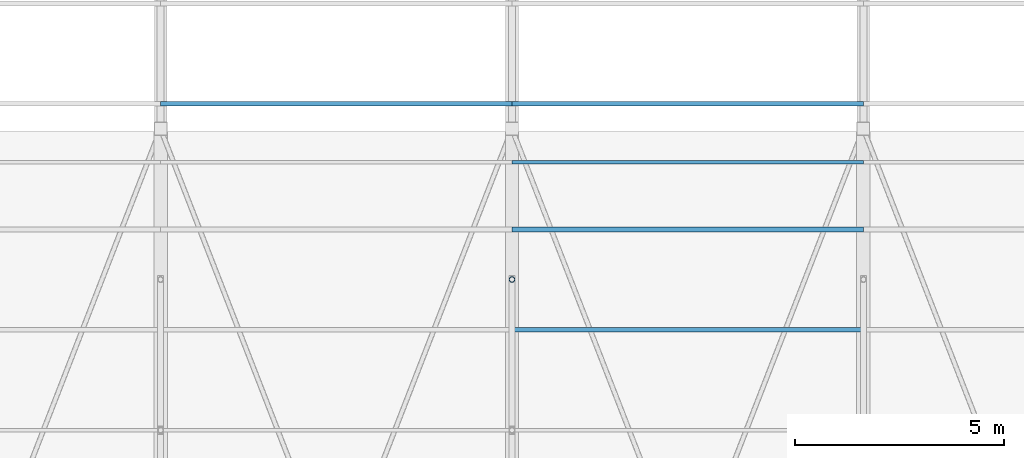
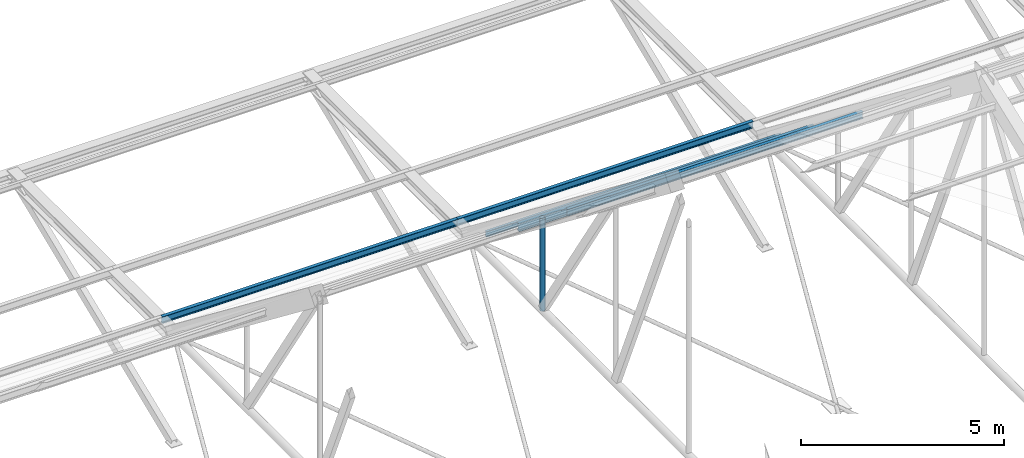
# One storey, part 123 of 217: 6 members.
"""IFC4 building model written with IfcOpenShell, lengths in metres."""

from ifc_helpers import new_model, si_unit, direction, frame, origin, origin_2d, place, context, subcontext, project, spatial, hollow_circle, i_section, extrude, material, material_profile, profile_set, type_object, element, save


model = new_model("IFC4")

# Units and contexts
model_context = context("Model", 3, precision=1e-05, world=origin(), true_north=direction((0.0, 1.0)))
body_context = subcontext(model_context, "Body", "Model", "MODEL_VIEW")
ifc_project = project(units=[si_unit("LENGTHUNIT", "METRE"), si_unit("AREAUNIT", "SQUARE_METRE"), si_unit("VOLUMEUNIT", "CUBIC_METRE"), si_unit("PLANEANGLEUNIT", "RADIAN"), si_unit("MASSUNIT", "GRAM", prefix="KILO")], contexts=[model_context])

# Site, building, storey
site_placement = place(None, origin())
site = spatial("IfcSite", under=ifc_project, at=site_placement, CompositionType="ELEMENT")
building_placement = place(site_placement, origin())
building = spatial("IfcBuilding", under=site, at=building_placement, Name="Mazaris Harbour Polytechnic", CompositionType="ELEMENT")
storey_placement = place(building_placement, frame((0.0, 0.0, 9.60009765625)))
storey = spatial("IfcBuildingStorey", under=building, at=storey_placement, Name="L02", CompositionType="ELEMENT", Elevation=9.60009765625)

# Members
ifc_material_1 = material(Name="Steel S355", Category="steel")
ifc_material_profile_1 = material_profile(ifc_material_1, i_section(OverallWidth=0.08203125, OverallDepth=0.159912109375, WebThickness=0.0048828125, FlangeThickness=0.00732421875, FilletRadius=0.009033203125, at=origin_2d()), Name="IPE 160")
ifc_profile_set_1 = profile_set([ifc_material_profile_1], Name="Steel S355")
member_type_1 = type_object("IfcMemberType", Name="Steel Purlin IPE160", PredefinedType="PURLIN", material=ifc_profile_set_1)
member_1_placement = place(storey_placement, frame((87.60009765625, 107.199951171875, 4.3310546875), z_axis=(1.0, 0.0, 0.0), x_axis=(0.0, 1.0, 0.0)))
element("IfcMember", 1, at=member_1_placement, inside=storey, type_object=member_type_1, Name="V1 Roof Purlin N-102", PredefinedType="PURLIN", context=body_context, shape_type="SweptSolid", body=[
    extrude(i_section(OverallWidth=0.08203125, OverallDepth=0.159912109375, WebThickness=0.0048828125, FlangeThickness=0.00732421875, FilletRadius=0.009033203125, at=origin_2d()), origin(), (0.0, 0.0, 1.0), 8.39990234375),
])
ifc_material_2 = material(Name="Steel S355", Category="steel")
ifc_material_profile_2 = material_profile(ifc_material_2, i_section(OverallWidth=0.10009765625, OverallDepth=0.199951171875, WebThickness=0.005615234375, FlangeThickness=0.008544921875, FilletRadius=0.011962890625, at=origin_2d()), Name="IPE 200")
ifc_profile_set_2 = profile_set([ifc_material_profile_2], Name="Steel S355")
member_type_2 = type_object("IfcMemberType", Name="Steel Purlin IPE200", PredefinedType="PURLIN", material=ifc_profile_set_2)
member_2_placement = place(storey_placement, frame((87.60009765625, 103.199951171875, 7.4130859375), z_axis=(1.0, 0.0, 0.0), x_axis=(0.0, 1.0, 0.0)))
element("IfcMember", 2, at=member_2_placement, inside=storey, type_object=member_type_2, Name="V1 Roof Purlin N-100", PredefinedType="PURLIN", context=body_context, shape_type="SweptSolid", body=[
    extrude(i_section(OverallWidth=0.10009765625, OverallDepth=0.199951171875, WebThickness=0.005615234375, FlangeThickness=0.008544921875, FilletRadius=0.011962890625, at=origin_2d()), origin(), (0.0, 0.0, 1.0), 8.39990234375),
])
ifc_material_3 = material(Name="Steel S355", Category="steel")
ifc_material_profile_3 = material_profile(ifc_material_3, i_section(OverallWidth=0.10009765625, OverallDepth=0.199951171875, WebThickness=0.005615234375, FlangeThickness=0.008544921875, FilletRadius=0.011962890625, at=origin_2d()), Name="IPE 200")
ifc_profile_set_3 = profile_set([ifc_material_profile_3], Name="Steel S355")
member_type_3 = type_object("IfcMemberType", Name="Steel Purlin IPE200 Exterior", PredefinedType="PURLIN", material=ifc_profile_set_3)
member_3_placement = place(storey_placement, frame((79.199951171875, 108.60009765625, 3.85498046875), z_axis=(1.0, 0.0, 0.0), x_axis=(0.0, 1.0, 0.0)))
element("IfcMember", 3, at=member_3_placement, inside=storey, type_object=member_type_3, Name="V1 Roof Purlin N-82", PredefinedType="PURLIN", context=body_context, shape_type="SweptSolid", body=[
    extrude(i_section(OverallWidth=0.10009765625, OverallDepth=0.199951171875, WebThickness=0.005615234375, FlangeThickness=0.008544921875, FilletRadius=0.011962890625, at=origin_2d()), origin(), (0.0, 0.0, 1.0), 8.400146484375),
])
member_4_placement = place(storey_placement, frame((87.60009765625, 108.60009765625, 3.85498046875), z_axis=(1.0, 0.0, 0.0), x_axis=(0.0, 1.0, 0.0)))
element("IfcMember", 4, at=member_4_placement, inside=storey, type_object=member_type_3, Name="V1 Roof Purlin N-103", PredefinedType="PURLIN", context=body_context, shape_type="SweptSolid", body=[
    extrude(i_section(OverallWidth=0.10009765625, OverallDepth=0.199951171875, WebThickness=0.005615234375, FlangeThickness=0.008544921875, FilletRadius=0.011962890625, at=origin_2d()), origin(), (0.0, 0.0, 1.0), 8.39990234375),
])
ifc_material_4 = material(Name="Steel S355", Category="steel")
ifc_material_profile_4 = material_profile(ifc_material_4, i_section(OverallWidth=0.1201171875, OverallDepth=0.239990234375, WebThickness=0.006103515625, FlangeThickness=0.009765625, FilletRadius=0.014892578125, at=origin_2d()), Name="IPE 240")
ifc_profile_set_4 = profile_set([ifc_material_profile_4], Name="Steel S355")
member_type_4 = type_object("IfcMemberType", Name="Steel Purlin IPE240", PredefinedType="PURLIN", material=ifc_profile_set_4)
member_5_placement = place(storey_placement, frame((87.60009765625, 105.60009765625, 5.5166015625), z_axis=(1.0, 0.0, 0.0), x_axis=(0.0, 1.0, 0.0)))
element("IfcMember", 5, at=member_5_placement, inside=storey, type_object=member_type_4, Name="V1 Roof Purlin N-101", PredefinedType="PURLIN", context=body_context, shape_type="SweptSolid", body=[
    extrude(i_section(OverallWidth=0.1201171875, OverallDepth=0.239990234375, WebThickness=0.006103515625, FlangeThickness=0.009765625, FilletRadius=0.014892578125, at=origin_2d()), origin(), (0.0, 0.0, 1.0), 8.39990234375),
])
ifc_material_5 = material(Name="Steel S355", Category="steel")
ifc_material_profile_5 = material_profile(ifc_material_5, hollow_circle(Radius=0.06982421875, WallThickness=0.008056640625, at=origin_2d()), Name="CHS 139.7x8.0")
ifc_profile_set_5 = profile_set([ifc_material_profile_5], Name="Steel S355")
member_type_5 = type_object("IfcMemberType", Name="Steel Truss Strut CHS139", PredefinedType="STRUT", material=ifc_profile_set_5)
member_6_placement = place(storey_placement, frame((87.60009765625, 104.39990234375, 3.75), z_axis=(0.0, 0.0, 1.0), x_axis=(1.0, 0.0, 0.0)))
element("IfcMember", 6, at=member_6_placement, inside=storey, type_object=member_type_5, Name="Truss 5 Web Post N2", PredefinedType="STRUT", context=body_context, shape_type="SweptSolid", body=[
    extrude(hollow_circle(Radius=0.06982421875, WallThickness=0.008056640625, at=origin_2d()), origin(), (0.0, 0.0, 1.0), 2.783203125),
])

save(model, "model.ifc")
